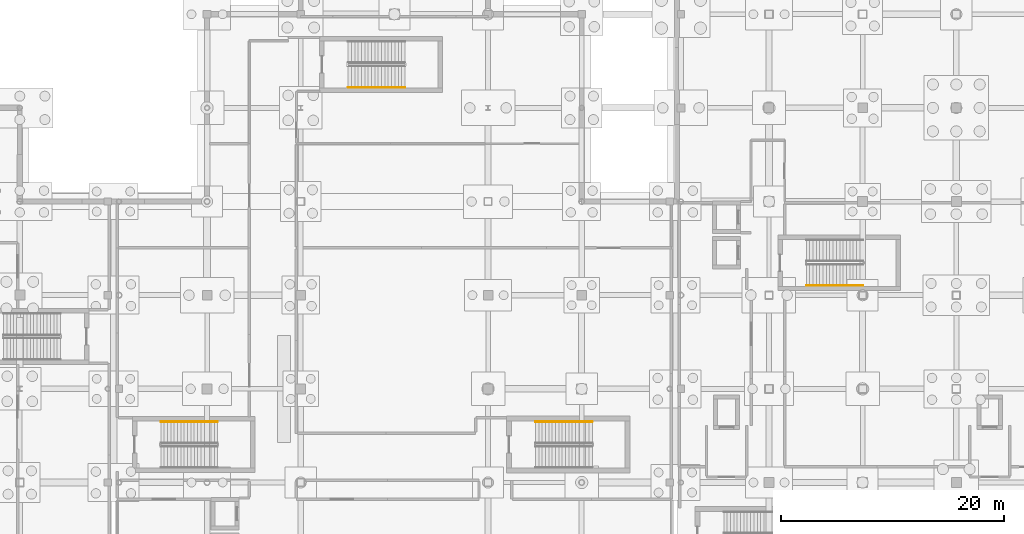
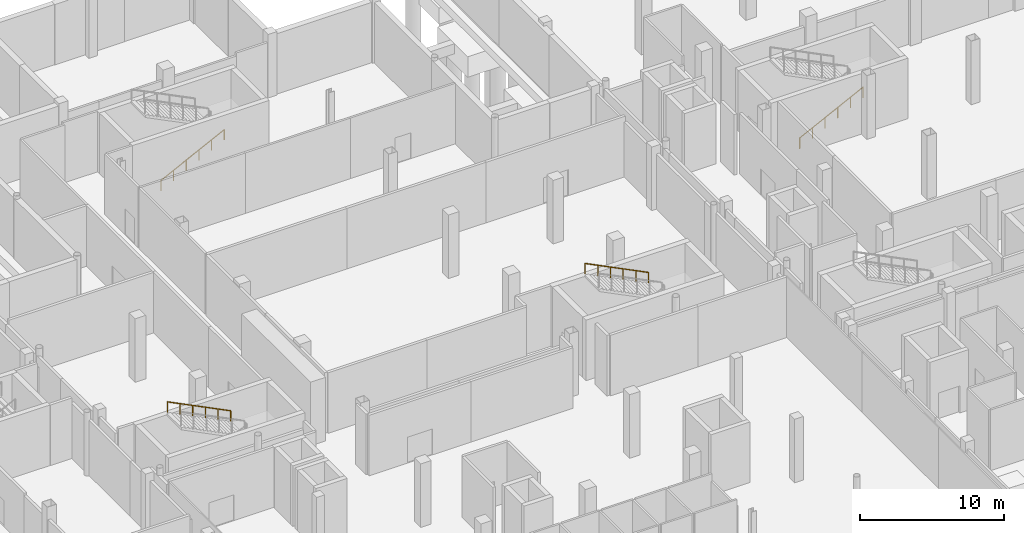
# One storey, part 44 of 49: 4 railings.
"""IFC4 building model written with IfcOpenShell, lengths in metres."""

from ifc_helpers import new_model, si_unit, direction, frame, origin, origin_2d, place, context, subcontext, project, spatial, circle, extrude, material, type_object, element, save


model = new_model("IFC4")

# Units and contexts
model_context = context("Model", 3, precision=1e-05, world=origin(), true_north=direction((0.0, 1.0)))
body_context = subcontext(model_context, "Body", "Model", "MODEL_VIEW")
ifc_project = project(units=[si_unit("LENGTHUNIT", "METRE"), si_unit("AREAUNIT", "SQUARE_METRE"), si_unit("VOLUMEUNIT", "CUBIC_METRE"), si_unit("PLANEANGLEUNIT", "RADIAN"), si_unit("MASSUNIT", "GRAM", prefix="KILO"), si_unit("THERMODYNAMICTEMPERATUREUNIT", "KELVIN")], contexts=[model_context])

# Site, building, storey
site_placement = place(None, origin())
site = spatial("IfcSite", under=ifc_project, at=site_placement, CompositionType="ELEMENT")
building_placement = place(site_placement, origin())
building = spatial("IfcBuilding", under=site, at=building_placement, Name="Lustrewick Department Store", CompositionType="ELEMENT")
storey_placement = place(building_placement, frame((0.0, 0.0, -5.39990234375)))
storey = spatial("IfcBuildingStorey", under=building, at=storey_placement, Name="B1", CompositionType="ELEMENT", Elevation=-5.39990234375)

# Railings
ifc_material = material(Name="Brushed stainless steel wall handrail", Category="steel")
railing_type = type_object("IfcRailingType", Name="RL-STH", PredefinedType="HANDRAIL", material=ifc_material)
railing_1_placement = place(storey_placement, frame((68.14990234375, 64.25, 2.849853515625)))
element("IfcRailing", 1, at=railing_1_placement, inside=storey, type_object=railing_type, Name="B1 ST04 Stair Handrail 2", PredefinedType="HANDRAIL", context=body_context, shape_type="SweptSolid", body=[
    extrude(circle(Radius=0.02392578125, at=origin_2d()), frame((0.0, 0.0, 0.8759765625), z_axis=(-0.894418627299, 0.0, 0.447230722492), x_axis=(0.0, -1.0, 0.0)), (0.0, 0.0, 1.0), 5.701904296875),
    extrude(circle(Radius=0.02099609375, at=origin_2d()), origin(), (0.0, 0.0, 1.0), 0.851806640625),
    extrude(circle(Radius=0.02099609375, at=origin_2d()), frame((-1.02001953125, 0.0, 0.510009765625)), (0.0, 0.0, 1.0), 0.851806640625),
    extrude(circle(Radius=0.02099609375, at=origin_2d()), frame((-2.0400390625, 0.0, 1.02001953125)), (0.0, 0.0, 1.0), 0.851806640625),
    extrude(circle(Radius=0.02099609375, at=origin_2d()), frame((-3.059814453125, 0.0, 1.530029296875)), (0.0, 0.0, 1.0), 0.851806640625),
    extrude(circle(Radius=0.02099609375, at=origin_2d()), frame((-4.079833984375, 0.0, 2.0400390625)), (0.0, 0.0, 1.0), 0.851806640625),
    extrude(circle(Radius=0.02099609375, at=origin_2d()), frame((-5.099853515625, 0.0, 2.550048828125)), (0.0, 0.0, 1.0), 0.851806640625),
])
railing_2_placement = place(storey_placement, frame((101.75, 64.25, 2.849853515625)))
element("IfcRailing", 2, at=railing_2_placement, inside=storey, type_object=railing_type, Name="B1 ST05 Stair Handrail 2", PredefinedType="HANDRAIL", context=body_context, shape_type="SweptSolid", body=[
    extrude(circle(Radius=0.02392578125, at=origin_2d()), frame((0.0, 0.0, 0.8759765625), z_axis=(-0.894427191, 0.0, 0.4472135955), x_axis=(0.0, -1.0, 0.0)), (0.0, 0.0, 1.0), 5.7021484375),
    extrude(circle(Radius=0.02099609375, at=origin_2d()), origin(), (0.0, 0.0, 1.0), 0.851806640625),
    extrude(circle(Radius=0.02099609375, at=origin_2d()), frame((-1.02001953125, 0.0, 0.510009765625)), (0.0, 0.0, 1.0), 0.851806640625),
    extrude(circle(Radius=0.02099609375, at=origin_2d()), frame((-2.0400390625, 0.0, 1.02001953125)), (0.0, 0.0, 1.0), 0.851806640625),
    extrude(circle(Radius=0.02099609375, at=origin_2d()), frame((-3.06005859375, 0.0, 1.530029296875)), (0.0, 0.0, 1.0), 0.851806640625),
    extrude(circle(Radius=0.02099609375, at=origin_2d()), frame((-4.080078125, 0.0, 2.0400390625)), (0.0, 0.0, 1.0), 0.851806640625),
    extrude(circle(Radius=0.02099609375, at=origin_2d()), frame((-5.10009765625, 0.0, 2.550048828125)), (0.0, 0.0, 1.0), 0.851806640625),
])
railing_3_placement = place(storey_placement, frame((79.85009765625, 94.25, 0.14990234375)))
element("IfcRailing", 3, at=railing_3_placement, inside=storey, type_object=railing_type, Name="B1 ST06 Stair Handrail 1", PredefinedType="HANDRAIL", context=body_context, shape_type="SweptSolid", body=[
    extrude(circle(Radius=0.02392578125, at=origin_2d()), frame((0.0, 0.0, 0.8759765625), z_axis=(0.894418627299, 0.0, 0.447230722492), x_axis=(0.0, 1.0, 0.0)), (0.0, 0.0, 1.0), 5.701904296875),
    extrude(circle(Radius=0.02099609375, at=origin_2d()), origin(), (0.0, 0.0, 1.0), 0.851806640625),
    extrude(circle(Radius=0.02099609375, at=origin_2d()), frame((1.02001953125, 0.0, 0.510009765625)), (0.0, 0.0, 1.0), 0.851806640625),
    extrude(circle(Radius=0.02099609375, at=origin_2d()), frame((2.0400390625, 0.0, 1.02001953125)), (0.0, 0.0, 1.0), 0.851806640625),
    extrude(circle(Radius=0.02099609375, at=origin_2d()), frame((3.059814453125, 0.0, 1.530029296875)), (0.0, 0.0, 1.0), 0.851806640625),
    extrude(circle(Radius=0.02099609375, at=origin_2d()), frame((4.079833984375, 0.0, 2.0400390625)), (0.0, 0.0, 1.0), 0.851806640625),
    extrude(circle(Radius=0.02099609375, at=origin_2d()), frame((5.099853515625, 0.0, 2.550048828125)), (0.0, 0.0, 1.0), 0.851806640625),
])
railing_4_placement = place(storey_placement, frame((120.949951171875, 76.449951171875, 0.14990234375)))
element("IfcRailing", 4, at=railing_4_placement, inside=storey, type_object=railing_type, Name="B1 ST10 Stair Handrail 1", PredefinedType="HANDRAIL", context=body_context, shape_type="SweptSolid", body=[
    extrude(circle(Radius=0.02392578125, at=origin_2d()), frame((0.0, 0.0, 0.8759765625), z_axis=(0.894427191, 0.0, 0.4472135955), x_axis=(0.0, 1.0, 0.0)), (0.0, 0.0, 1.0), 5.7021484375),
    extrude(circle(Radius=0.02099609375, at=origin_2d()), origin(), (0.0, 0.0, 1.0), 0.851806640625),
    extrude(circle(Radius=0.02099609375, at=origin_2d()), frame((1.02001953125, 0.0, 0.510009765625)), (0.0, 0.0, 1.0), 0.851806640625),
    extrude(circle(Radius=0.02099609375, at=origin_2d()), frame((2.0400390625, 0.0, 1.02001953125)), (0.0, 0.0, 1.0), 0.851806640625),
    extrude(circle(Radius=0.02099609375, at=origin_2d()), frame((3.06005859375, 0.0, 1.530029296875)), (0.0, 0.0, 1.0), 0.851806640625),
    extrude(circle(Radius=0.02099609375, at=origin_2d()), frame((4.080078125, 0.0, 2.0400390625)), (0.0, 0.0, 1.0), 0.851806640625),
    extrude(circle(Radius=0.02099609375, at=origin_2d()), frame((5.10009765625, 0.0, 2.550048828125)), (0.0, 0.0, 1.0), 0.851806640625),
])

save(model, "model.ifc")
